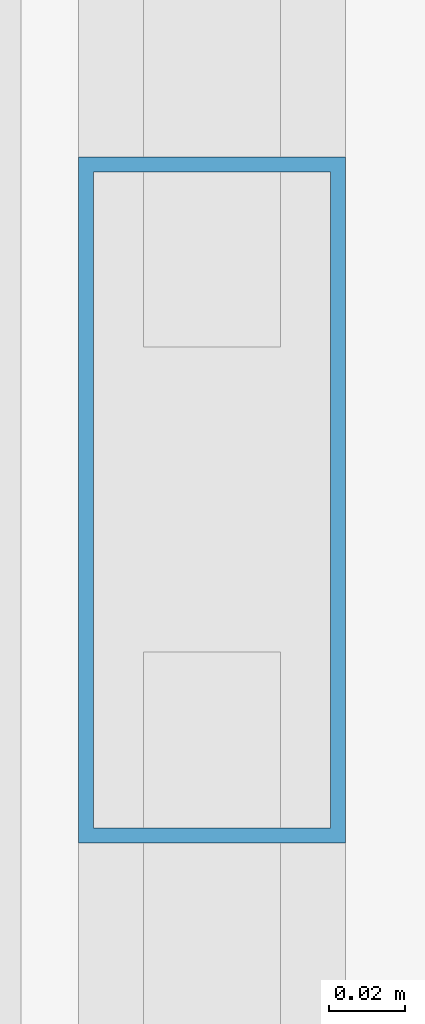
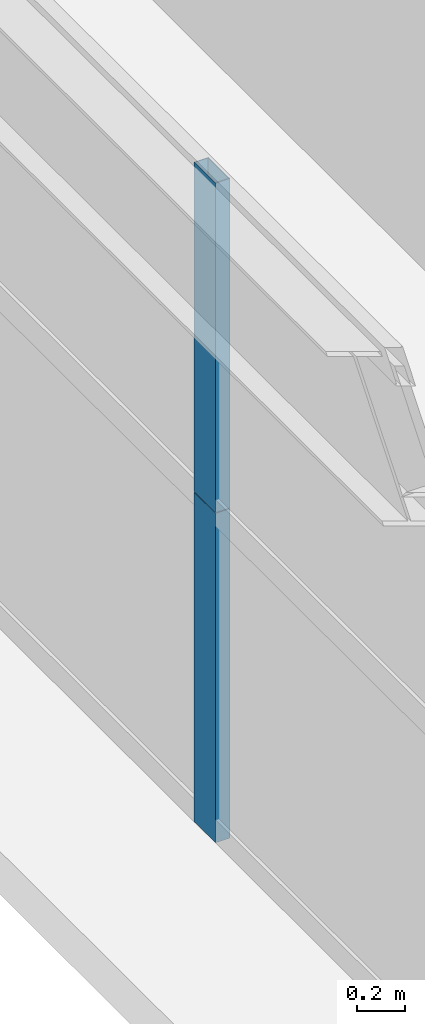
# One storey, part 20 of 38: 2 members, 1 element without a shape of its own.
"""IFC4 building model written with IfcOpenShell, lengths in metres."""

from ifc_helpers import new_model, si_unit, direction, frame, origin, origin_2d, place, context, subcontext, project, spatial, hollow_rectangle, extrude, source, transform, mapped, material, layer, layer_set, material_profile, profile_set, type_object, element, aggregate, save


model = new_model("IFC4")

# Units and contexts
model_context = context("Model", 3, precision=1e-05, world=origin(), true_north=direction((0.0, 1.0)))
body_context = subcontext(model_context, "Body", "Model", "MODEL_VIEW")
ifc_project = project(units=[si_unit("LENGTHUNIT", "METRE"), si_unit("AREAUNIT", "SQUARE_METRE"), si_unit("VOLUMEUNIT", "CUBIC_METRE"), si_unit("PLANEANGLEUNIT", "RADIAN"), si_unit("MASSUNIT", "GRAM", prefix="KILO"), si_unit("THERMODYNAMICTEMPERATUREUNIT", "KELVIN"), si_unit("POWERUNIT", "WATT")], contexts=[model_context])

# Site, building, storey
site_placement = place(None, origin())
site = spatial("IfcSite", under=ifc_project, at=site_placement, CompositionType="ELEMENT")
building_placement = place(site_placement, origin())
building = spatial("IfcBuilding", under=site, at=building_placement, Name="Yuzanri Waterfront Tower", CompositionType="ELEMENT")
storey_placement = place(building_placement, frame((0.0, 0.0, 111.800048828125)))
storey = spatial("IfcBuildingStorey", under=building, at=storey_placement, Name="L29", CompositionType="ELEMENT", Elevation=111.800048828125)

# Curtain wall, members
ifc_material_1 = material(Name="Anodized Architectural Bronze", Category="metal")
ifc_layer = layer(ifc_material_1, 0.159912109375)
ifc_layer_set = layer_set([ifc_layer], Name="Anodized Architectural Bronze")
curtain_wall_type = type_object("IfcCurtainWallType", Name="Anodized Bronze Hotel Upper-Tier Solar-Control Unitized Curtain Wall 7800", PredefinedType="NOTDEFINED", material=ifc_layer_set)
curtain_wall_placement = place(storey_placement, origin())
curtain_wall = element("IfcCurtainWall", 1, at=curtain_wall_placement, inside=storey, type_object=curtain_wall_type, Name="L29 Curtain Wall CW-L29-WR", PredefinedType="NOTDEFINED")
ifc_material_2 = material(Name="Anodized Architectural Bronze", Category="metal")
ifc_material_profile = material_profile(ifc_material_2, hollow_rectangle(XDim=0.070068359375, YDim=0.179931640625, WallThickness=0.00390625, at=origin_2d()), Name="CWM 70x180")
ifc_profile_set = profile_set([ifc_material_profile], Name="Anodized Architectural Bronze")
member_type = type_object("IfcMemberType", Name="Anodized Bronze Standard Curtain-Wall Mullion 70x180", PredefinedType="MULLION", material=ifc_profile_set)
shared_shape = source(origin(), body_context, "Body", "SweptSolid", [
    extrude(hollow_rectangle(XDim=0.070068359375, YDim=0.179931640625, WallThickness=0.00390625, at=origin_2d()), origin(), (0.0, 0.0, 1.0), 1.68798828125),
])
member_1_placement = place(storey_placement, frame((13.550048828125, 34.14990234375, 0.0), z_axis=(0.0, 0.0, 1.0), x_axis=(1.0, 0.0, 0.0)))
member_1 = element("IfcMember", 2, at=member_1_placement, type_object=member_type, Name="CW-L29-WR Lower Mullion 01", PredefinedType="MULLION", context=body_context, shape_type="MappedRepresentation", body=[
    mapped(shared_shape, transform((0.0, 0.0, 0.0), scale=1.0)),
])
member_2_placement = place(storey_placement, frame((13.550048828125, 34.14990234375, 1.69189453125), z_axis=(0.0, 0.0, 1.0), x_axis=(1.0, 0.0, 0.0)))
member_2 = element("IfcMember", 3, at=member_2_placement, type_object=member_type, Name="CW-L29-WR Upper Mullion 01", PredefinedType="MULLION", context=body_context, shape_type="MappedRepresentation", body=[
    mapped(shared_shape, transform((0.0, 0.0, 0.0), scale=1.0)),
])
aggregate(curtain_wall, [member_1, member_2])

save(model, "model.ifc")
